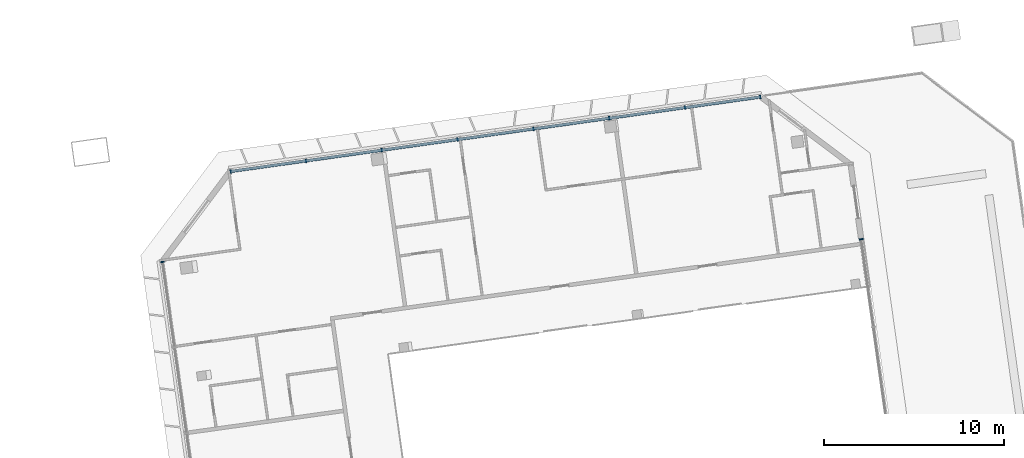
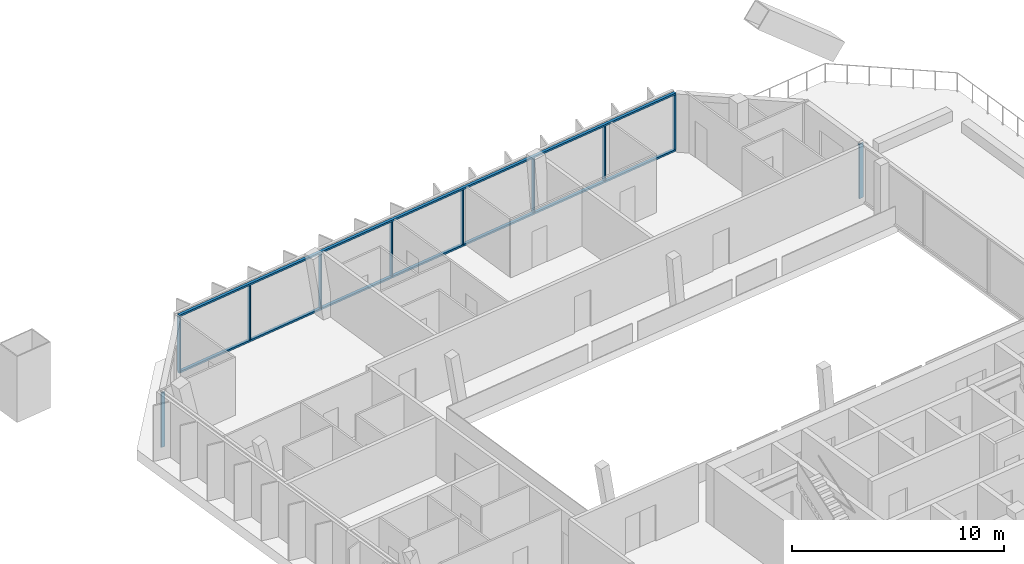
# One storey, part 7 of 17: 12 members, 3 elements without a shape of their own.
"""IFC4 building model written with IfcOpenShell, lengths in metres."""

from ifc_helpers import new_model, si_unit, direction, frame, origin, origin_2d, place, context, subcontext, project, spatial, rectangle, extrude, material, material_profile, profile_set, type_object, element, aggregate, save


model = new_model("IFC4")

# Units and contexts
model_context = context("Model", 3, precision=1e-05, world=origin(), true_north=direction((0.0, 1.0)))
body_context = subcontext(model_context, "Body", "Model", "MODEL_VIEW")
ifc_project = project(units=[si_unit("LENGTHUNIT", "METRE"), si_unit("AREAUNIT", "SQUARE_METRE"), si_unit("VOLUMEUNIT", "CUBIC_METRE"), si_unit("PLANEANGLEUNIT", "RADIAN"), si_unit("MASSUNIT", "GRAM", prefix="KILO")], contexts=[model_context])

# Site, building, storey
site_placement = place(None, origin())
site = spatial("IfcSite", under=ifc_project, at=site_placement, CompositionType="ELEMENT")
building_placement = place(site_placement, origin())
building = spatial("IfcBuilding", under=site, at=building_placement, Name="Mirante Cascada Hotel Towers", CompositionType="ELEMENT")
storey_placement = place(building_placement, frame((0.0, 0.0, 250.8)))
storey = spatial("IfcBuildingStorey", under=building, at=storey_placement, Name="L60", CompositionType="ELEMENT", Elevation=250.8)

# Curtain wall, members
ifc_material_1 = material(Name="Aluminium mullion and transom frame with clear laminated glass", Category="aluminium")
curtain_wall_type_1 = type_object("IfcCurtainWallType", Name="Ribbon curtain wall ECW1", PredefinedType="NOTDEFINED", material=ifc_material_1)
curtain_wall_1_placement = place(storey_placement, origin())
curtain_wall_1 = element("IfcCurtainWall", 1, at=curtain_wall_1_placement, inside=storey, type_object=curtain_wall_type_1, Name="Front ribbon wall T2 L60", PredefinedType="NOTDEFINED")
ifc_material_2 = material(Name="Anodised aluminium extrusion", Category="aluminium")
ifc_material_profile_1 = material_profile(ifc_material_2, rectangle(XDim=0.2, YDim=0.065, at=origin_2d()), Name="ECW1 MULLION 65x200")
ifc_profile_set_1 = profile_set([ifc_material_profile_1], Name="Anodised aluminium extrusion")
member_type_1 = type_object("IfcMemberType", Name="ECW1 mullion 65x200", PredefinedType="MULLION", material=ifc_profile_set_1)
member_1_placement = place(storey_placement, frame((49.5639, 19.7848, 0.1), z_axis=(0.0, 0.0, 1.0), x_axis=(0.1391731, -0.9902681, 0.0)))
member_1 = element("IfcMember", 2, at=member_1_placement, type_object=member_type_1, Name="ECW1 mullion 1", PredefinedType="MULLION", context=body_context, shape_type="SweptSolid", body=[
    extrude(rectangle(XDim=0.2, YDim=0.065, at=origin_2d()), origin(), (0.0, 0.0, 1.0), 3.15),
])
member_2_placement = place(storey_placement, frame((45.3929, 19.1986, 0.1), z_axis=(0.0, 0.0, 1.0), x_axis=(0.1391731, -0.9902681, 0.0)))
member_2 = element("IfcMember", 3, at=member_2_placement, type_object=member_type_1, Name="ECW1 mullion 2", PredefinedType="MULLION", context=body_context, shape_type="SweptSolid", body=[
    extrude(rectangle(XDim=0.2, YDim=0.065, at=origin_2d()), origin(), (0.0, 0.0, 1.0), 3.15),
])
member_3_placement = place(storey_placement, frame((41.1897, 18.6079, 0.1), z_axis=(0.0, 0.0, 1.0), x_axis=(0.1391731, -0.9902681, 0.0)))
member_3 = element("IfcMember", 4, at=member_3_placement, type_object=member_type_1, Name="ECW1 mullion 3", PredefinedType="MULLION", context=body_context, shape_type="SweptSolid", body=[
    extrude(rectangle(XDim=0.2, YDim=0.065, at=origin_2d()), origin(), (0.0, 0.0, 1.0), 3.15),
])
member_4_placement = place(storey_placement, frame((36.9864, 18.0171, 0.1), z_axis=(0.0, 0.0, 1.0), x_axis=(0.1391731, -0.9902681, 0.0)))
member_4 = element("IfcMember", 5, at=member_4_placement, type_object=member_type_1, Name="ECW1 mullion 4", PredefinedType="MULLION", context=body_context, shape_type="SweptSolid", body=[
    extrude(rectangle(XDim=0.2, YDim=0.065, at=origin_2d()), origin(), (0.0, 0.0, 1.0), 3.15),
])
member_5_placement = place(storey_placement, frame((32.7832, 17.4264, 0.1), z_axis=(0.0, 0.0, 1.0), x_axis=(0.1391731, -0.9902681, 0.0)))
member_5 = element("IfcMember", 6, at=member_5_placement, type_object=member_type_1, Name="ECW1 mullion 5", PredefinedType="MULLION", context=body_context, shape_type="SweptSolid", body=[
    extrude(rectangle(XDim=0.2, YDim=0.065, at=origin_2d()), origin(), (0.0, 0.0, 1.0), 3.15),
])
member_6_placement = place(storey_placement, frame((28.58, 16.8357, 0.1), z_axis=(0.0, 0.0, 1.0), x_axis=(0.1391731, -0.9902681, 0.0)))
member_6 = element("IfcMember", 7, at=member_6_placement, type_object=member_type_1, Name="ECW1 mullion 6", PredefinedType="MULLION", context=body_context, shape_type="SweptSolid", body=[
    extrude(rectangle(XDim=0.2, YDim=0.065, at=origin_2d()), origin(), (0.0, 0.0, 1.0), 3.15),
])
member_7_placement = place(storey_placement, frame((24.3768, 16.245, 0.1), z_axis=(0.0, 0.0, 1.0), x_axis=(0.1391731, -0.9902681, 0.0)))
member_7 = element("IfcMember", 8, at=member_7_placement, type_object=member_type_1, Name="ECW1 mullion 7", PredefinedType="MULLION", context=body_context, shape_type="SweptSolid", body=[
    extrude(rectangle(XDim=0.2, YDim=0.065, at=origin_2d()), origin(), (0.0, 0.0, 1.0), 3.15),
])
member_8_placement = place(storey_placement, frame((20.2057, 15.6588, 0.1), z_axis=(0.0, 0.0, 1.0), x_axis=(0.1391731, -0.9902681, 0.0)))
member_8 = element("IfcMember", 9, at=member_8_placement, type_object=member_type_1, Name="ECW1 mullion 8", PredefinedType="MULLION", context=body_context, shape_type="SweptSolid", body=[
    extrude(rectangle(XDim=0.2, YDim=0.065, at=origin_2d()), origin(), (0.0, 0.0, 1.0), 3.15),
])
ifc_material_3 = material(Name="Anodised aluminium extrusion", Category="aluminium")
ifc_material_profile_2 = material_profile(ifc_material_3, rectangle(XDim=0.16, YDim=0.1, at=origin_2d()), Name="ECW1 TRANSOM 100x160")
ifc_profile_set_2 = profile_set([ifc_material_profile_2], Name="Anodised aluminium extrusion")
member_type_2 = type_object("IfcMemberType", Name="ECW1 transom 100x160", PredefinedType="USERDEFINED", material=ifc_profile_set_2)
member_9_placement = place(storey_placement, frame((49.5961, 19.7893, 0.05), z_axis=(-0.9902679, -0.1391743, 0.0), x_axis=(0.1391743, -0.9902679, 0.0)))
member_9 = element("IfcMember", 10, at=member_9_placement, type_object=member_type_2, Name="ECW1 sill transom", ObjectType="TRANSOM", PredefinedType="USERDEFINED", context=body_context, shape_type="SweptSolid", body=[
    extrude(rectangle(XDim=0.16, YDim=0.1, at=origin_2d()), origin(), (0.0, 0.0, 1.0), 29.7117),
])
member_10_placement = place(storey_placement, frame((49.5961, 19.7893, 3.3), z_axis=(-0.9902679, -0.1391743, 0.0), x_axis=(0.1391743, -0.9902679, 0.0)))
member_10 = element("IfcMember", 11, at=member_10_placement, type_object=member_type_2, Name="ECW1 head transom", ObjectType="TRANSOM", PredefinedType="USERDEFINED", context=body_context, shape_type="SweptSolid", body=[
    extrude(rectangle(XDim=0.16, YDim=0.1, at=origin_2d()), origin(), (0.0, 0.0, 1.0), 29.7117),
])
aggregate(curtain_wall_1, [member_9, member_10, member_1, member_2, member_3, member_4, member_5, member_6, member_7, member_8])

# Curtain wall, member
ifc_material_4 = material(Name="Aluminium mullion and transom frame with clear laminated glass", Category="aluminium")
curtain_wall_type_2 = type_object("IfcCurtainWallType", Name="End ribbon curtain wall ECW2", PredefinedType="NOTDEFINED", material=ifc_material_4)
curtain_wall_2_placement = place(storey_placement, origin())
curtain_wall_2 = element("IfcCurtainWall", 12, at=curtain_wall_2_placement, inside=storey, type_object=curtain_wall_type_2, Name="Inner end wall T2 L60", PredefinedType="NOTDEFINED")
ifc_material_5 = material(Name="Anodised aluminium extrusion", Category="aluminium")
ifc_material_profile_3 = material_profile(ifc_material_5, rectangle(XDim=0.2, YDim=0.065, at=origin_2d()), Name="ECW2 MULLION 65x200")
ifc_profile_set_3 = profile_set([ifc_material_profile_3], Name="Anodised aluminium extrusion")
member_type_3 = type_object("IfcMemberType", Name="ECW2 mullion 65x200", PredefinedType="MULLION", material=ifc_profile_set_3)
member_11_placement = place(storey_placement, frame((16.4229, 10.6388, 0.1), z_axis=(0.0, 0.0, 1.0), x_axis=(0.9902681, 0.1391731, 0.0)))
member_11 = element("IfcMember", 13, at=member_11_placement, type_object=member_type_3, Name="ECW2 mullion 1", PredefinedType="MULLION", context=body_context, shape_type="SweptSolid", body=[
    extrude(rectangle(XDim=0.2, YDim=0.065, at=origin_2d()), origin(), (0.0, 0.0, 1.0), 3.15),
])
aggregate(curtain_wall_2, [member_11])

ifc_material_6 = material(Name="Aluminium mullion and transom frame with clear laminated glass", Category="aluminium")
curtain_wall_type_3 = type_object("IfcCurtainWallType", Name="Sky garden curtain wall ECW4", PredefinedType="NOTDEFINED", material=ifc_material_6)
curtain_wall_3_placement = place(storey_placement, origin())
curtain_wall_3 = element("IfcCurtainWall", 14, at=curtain_wall_3_placement, inside=storey, type_object=curtain_wall_type_3, Name="Sky garden wall T2 L60 run 1", PredefinedType="NOTDEFINED")
ifc_material_7 = material(Name="Anodised aluminium extrusion", Category="aluminium")
ifc_material_profile_4 = material_profile(ifc_material_7, rectangle(XDim=0.24, YDim=0.075, at=origin_2d()), Name="ECW4 MULLION 75x240")
ifc_profile_set_4 = profile_set([ifc_material_profile_4], Name="Anodised aluminium extrusion")
member_type_4 = type_object("IfcMemberType", Name="ECW4 mullion 75x240", PredefinedType="MULLION", material=ifc_profile_set_4)
member_12_placement = place(storey_placement, frame((55.1604, 11.8994, 0.11), z_axis=(0.0, 0.0, 1.0), x_axis=(-0.9902681, -0.1391731, 0.0)))
member_12 = element("IfcMember", 15, at=member_12_placement, type_object=member_type_4, Name="ECW4 mullion 6", PredefinedType="MULLION", context=body_context, shape_type="SweptSolid", body=[
    extrude(rectangle(XDim=0.24, YDim=0.075, at=origin_2d()), origin(), (0.0, 0.0, 1.0), 3.13),
])
aggregate(curtain_wall_3, [member_12])

save(model, "model.ifc")
